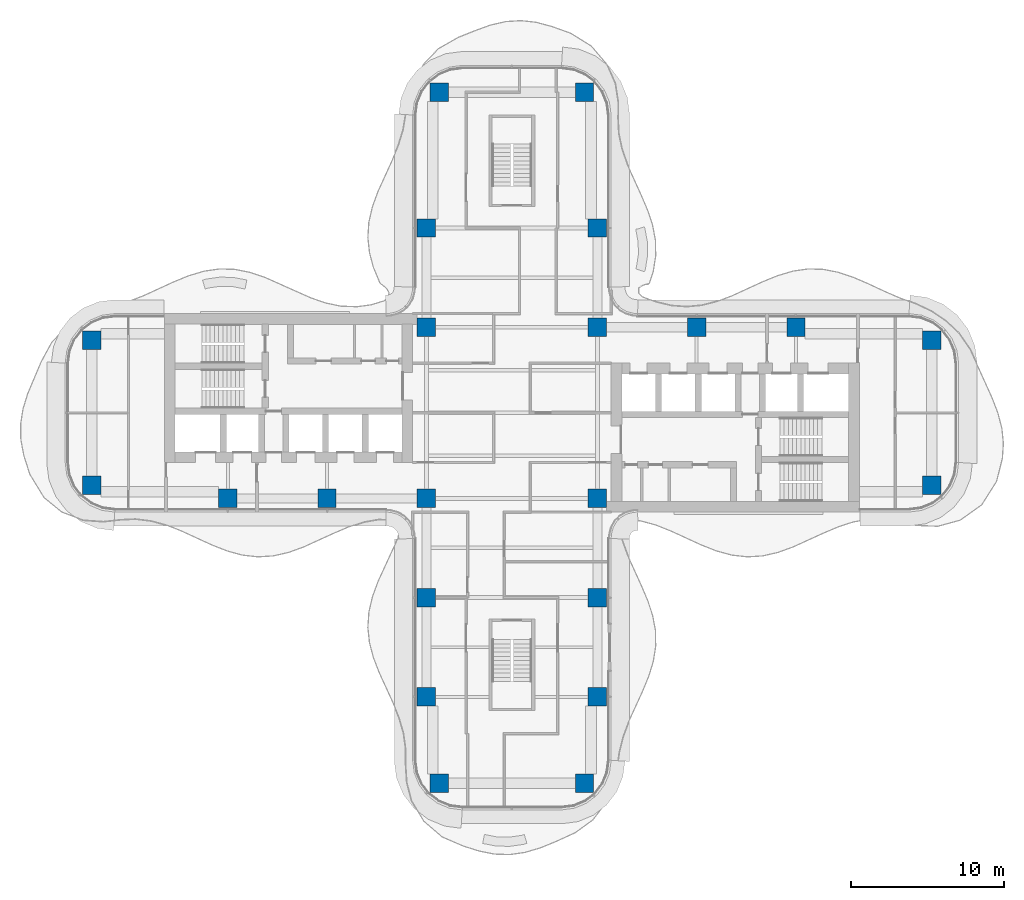
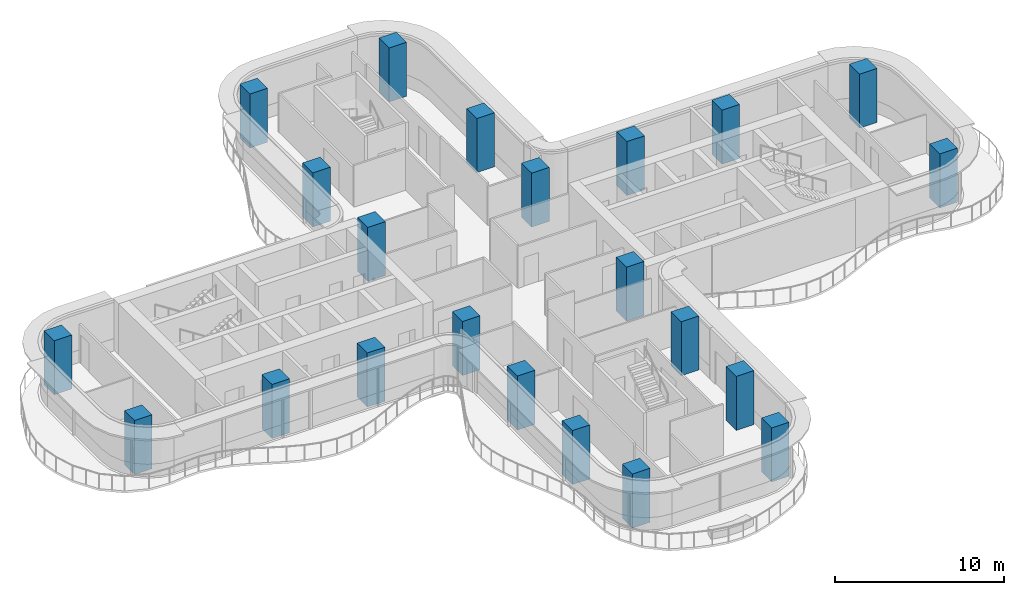
# One storey, part 1 of 18: 22 columns.
"""IFC4 building model written with IfcOpenShell, lengths in metres."""

from ifc_helpers import new_model, si_unit, direction, frame, origin, origin_2d, place, context, subcontext, project, spatial, rectangle, extrude, source, transform, mapped, material, material_profile, profile_set, type_object, element, save


model = new_model("IFC4")

# Units and contexts
model_context = context("Model", 3, precision=1e-05, world=origin(), true_north=direction((0.0, 1.0)))
body_context = subcontext(model_context, "Body", "Model", "MODEL_VIEW")
ifc_project = project(units=[si_unit("LENGTHUNIT", "METRE"), si_unit("AREAUNIT", "SQUARE_METRE"), si_unit("VOLUMEUNIT", "CUBIC_METRE"), si_unit("PLANEANGLEUNIT", "RADIAN"), si_unit("MASSUNIT", "GRAM", prefix="KILO")], contexts=[model_context])

# Site, building, storey
site_placement = place(None, origin())
site = spatial("IfcSite", under=ifc_project, at=site_placement, CompositionType="ELEMENT")
building_placement = place(site_placement, origin())
building = spatial("IfcBuilding", under=site, at=building_placement, Name="Trellis Farm Tower", CompositionType="ELEMENT")
storey_placement = place(building_placement, frame((0.0, 0.0, 189.300048828125)))
storey = spatial("IfcBuildingStorey", under=building, at=storey_placement, Name="L41", CompositionType="ELEMENT", Elevation=189.300048828125)

# Columns
ifc_material = material(Name="Concrete C70/85", Category="concrete")
ifc_material_profile = material_profile(ifc_material, rectangle(XDim=1.199951171875, YDim=1.199951171875, at=origin_2d()), Name="RC column 1200x1200 C70/85")
ifc_profile_set = profile_set([ifc_material_profile], Name="Concrete C70/85")
column_type = type_object("IfcColumnType", Name="RC column 1200x1200 C70/85", PredefinedType="COLUMN", material=ifc_profile_set)
shared_shape = source(origin(), body_context, "Body", "SweptSolid", [
    extrude(rectangle(XDim=1.199951171875, YDim=1.199951171875, at=origin_2d()), origin(), (0.0, 0.0, 1.0), 3.89990234375),
])
for number, where, z_axis, x_axis, name in (
    (1, (12.10009765625, 5.60009765625, 0.0), (0.0, 0.0, 1.0), (1.0, 0.0, 0.0), "Column"),
    (2, (18.60009765625, 5.60009765625, 0.0), (0.0, 0.0, 1.0), (1.0, 0.0, 0.0), "Column"),
    (3, (27.5, 4.75, 0.0), (0.0, 0.0, 1.0), (1.0, 0.0, 0.0), "Column"),
    (4, (27.5, -4.75, 0.0), (0.0, 0.0, 1.0), (1.0, 0.0, 0.0), "Column"),
    (5, (-5.60009765625, 12.10009765625, 0.0), (0.0, 0.0, 1.0), (1.0, 0.0, 0.0), "Column"),
    (6, (-4.75, 21.0, 0.0), (0.0, 0.0, 1.0), (1.0, 0.0, 0.0), "Column"),
    (7, (5.60009765625, 12.10009765625, 0.0), (0.0, 0.0, 1.0), (1.0, 0.0, 0.0), "Column"),
    (8, (4.75, 21.0, 0.0), (0.0, 0.0, 1.0), (1.0, 0.0, 0.0), "Column"),
    (9, (5.60009765625, 5.60009765625, 0.0), (0.0, 0.0, 1.0), (1.0, 0.0, 0.0), "Column"),
    (10, (-5.60009765625, 5.60009765625, 0.0), (0.0, 0.0, 1.0), (1.0, 0.0, 0.0), "Column"),
    (11, (5.60009765625, -5.60009765625, 0.0), (0.0, 0.0, 1.0), (1.0, 0.0, 0.0), "Column"),
    (12, (-5.60009765625, -5.60009765625, 0.0), (0.0, 0.0, 1.0), (1.0, 0.0, 0.0), "Column"),
    (13, (5.60009765625, -12.10009765625, 0.0), (0.0, 0.0, 1.0), (1.0, 0.0, 0.0), "Column"),
    (14, (5.60009765625, -18.60009765625, 0.0), (0.0, 0.0, 1.0), (1.0, 0.0, 0.0), "Column"),
    (15, (4.75, -24.25, 0.0), (0.0, 0.0, 1.0), (1.0, 0.0, 0.0), "Column"),
    (16, (-5.60009765625, -12.10009765625, 0.0), (0.0, 0.0, 1.0), (1.0, 0.0, 0.0), "Column"),
    (17, (-5.60009765625, -18.60009765625, 0.0), (0.0, 0.0, 1.0), (1.0, 0.0, 0.0), "Column"),
    (18, (-4.75, -24.25, 0.0), (0.0, 0.0, 1.0), (1.0, 0.0, 0.0), "Column"),
    (19, (-12.10009765625, -5.60009765625, 0.0), (0.0, 0.0, 1.0), (1.0, 0.0, 0.0), "Column"),
    (20, (-18.60009765625, -5.60009765625, 0.0), (0.0, 0.0, 1.0), (1.0, 0.0, 0.0), "Column"),
    (21, (-27.5, -4.75, 0.0), (0.0, 0.0, 1.0), (1.0, 0.0, 0.0), "Column"),
    (22, (-27.5, 4.75, 0.0), (0.0, 0.0, 1.0), (1.0, 0.0, 0.0), "Column"),
):
    element("IfcColumn", number, at=place(storey_placement, frame(where, z_axis=z_axis, x_axis=x_axis)), inside=storey, type_object=column_type, Name=name, PredefinedType="COLUMN", context=body_context, shape_type="MappedRepresentation", body=[
        mapped(shared_shape, transform((0.0, 0.0, 0.0))),
    ])

save(model, "model.ifc")
